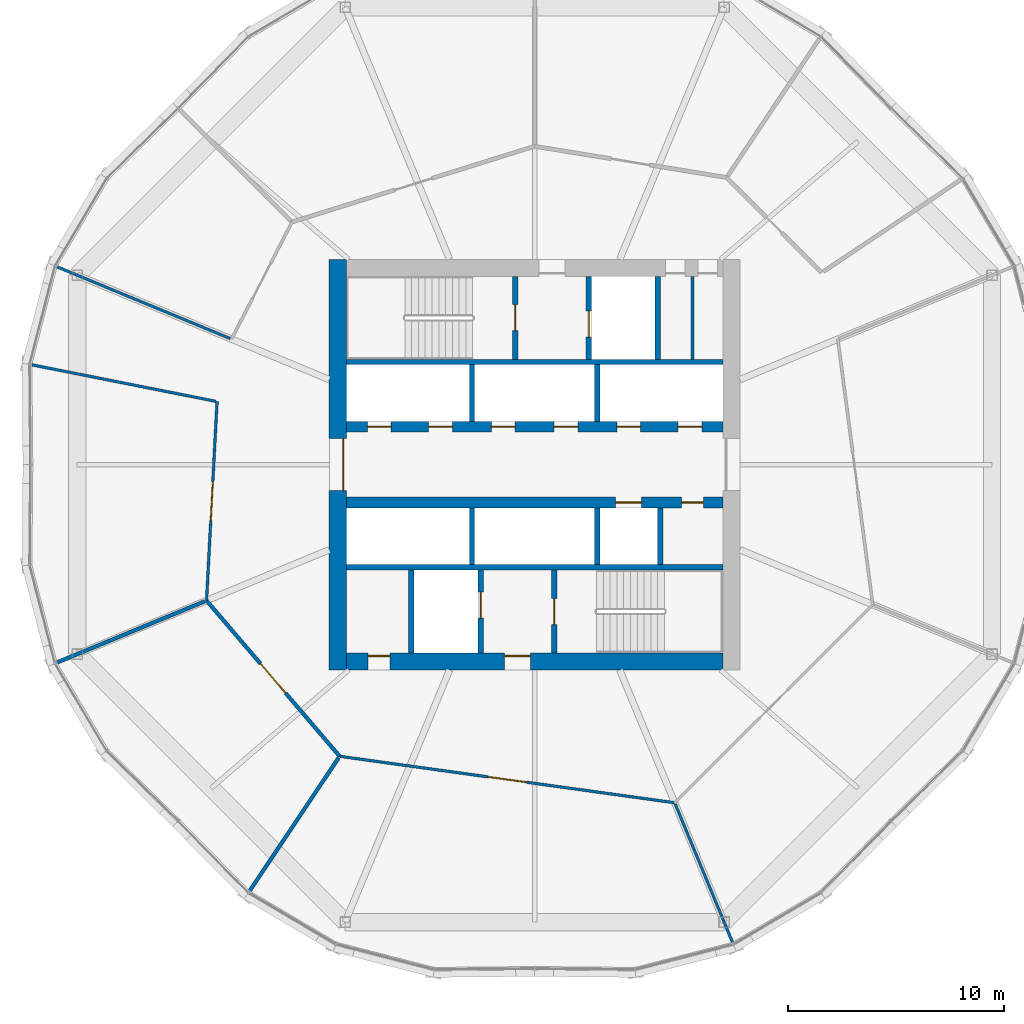
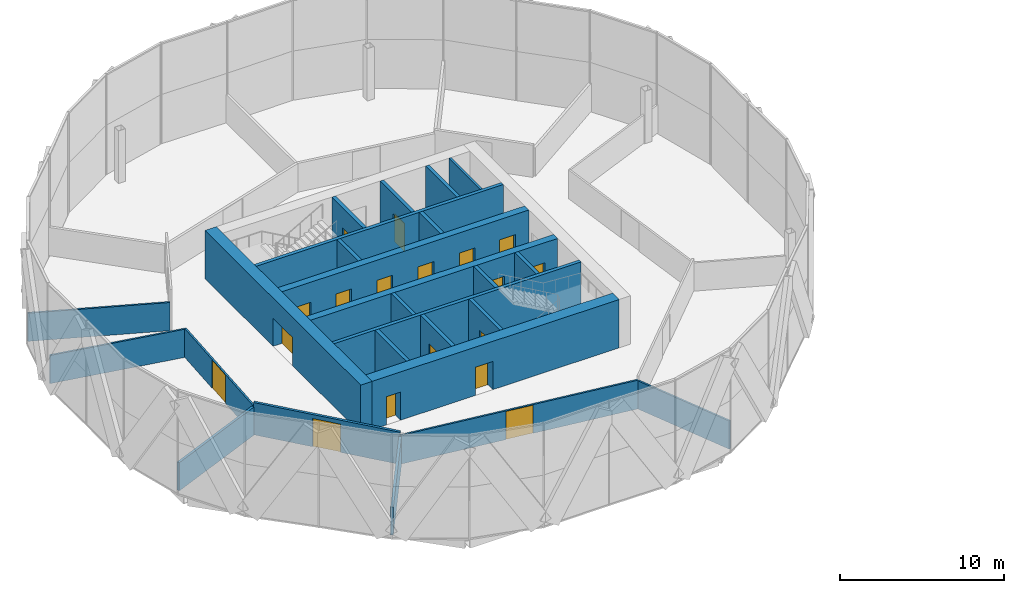
# One storey, part 22 of 31: 26 walls, 18 doors, 18 openings.
"""IFC4 building model written with IfcOpenShell, lengths in metres."""

from ifc_helpers import new_model, si_unit, direction, frame, frame_2d, origin, place, context, subcontext, project, spatial, rectangle, extrude, material, layer, layer_set, type_object, element, fill, save


model = new_model("IFC4")

# Units and contexts
model_context = context("Model", 3, precision=1e-05, world=origin(), true_north=direction((0.0, 1.0)))
body_context = subcontext(model_context, "Body", "Model", "MODEL_VIEW")
ifc_project = project(units=[si_unit("LENGTHUNIT", "METRE"), si_unit("AREAUNIT", "SQUARE_METRE"), si_unit("VOLUMEUNIT", "CUBIC_METRE"), si_unit("PLANEANGLEUNIT", "RADIAN"), si_unit("MASSUNIT", "GRAM", prefix="KILO")], contexts=[model_context])

# Site, building, storey
site_placement = place(None, origin())
site = spatial("IfcSite", under=ifc_project, at=site_placement, CompositionType="ELEMENT")
building_placement = place(site_placement, origin())
building = spatial("IfcBuilding", under=site, at=building_placement, Name="Ogive Gate Towers", CompositionType="ELEMENT")
storey_placement = place(building_placement, frame((0.0, 0.0, 63.60009765625)))
storey = spatial("IfcBuildingStorey", under=building, at=storey_placement, Name="L14", CompositionType="ELEMENT", Elevation=63.60009765625)

# Walls
ifc_material_1 = material(Name="Gypsum board acoustic partition")
ifc_layer_1 = layer(ifc_material_1, 0.175048828125)
ifc_layer_set_1 = layer_set([ifc_layer_1], Name="Acoustic partition 175")
wall_type_1 = type_object("IfcWallType", Name="Acoustic partition 175", PredefinedType="PARTITIONING", material=ifc_layer_set_1)
wall_1_placement = place(storey_placement, frame((-58.16845703125, -9.182373046875, 0.0), z_axis=(0.0, 0.0, 1.0), x_axis=(0.923877226878, 0.382688998608, 0.0)))
element("IfcWall", 1, at=wall_1_placement, inside=storey, type_object=wall_type_1, Name="Partition T1-L14-008", PredefinedType="PARTITIONING", context=body_context, shape_type="SweptSolid", body=[
    extrude(rectangle(XDim=7.4814453125, YDim=0.175048828125, at=frame_2d((3.74072265625, 0.0))), origin(), (0.0, 0.0, 1.0), 2.099853515625),
])
wall_2_placement = place(storey_placement, frame((-49.2529296875, -19.82080078125, 0.0), z_axis=(0.0, 0.0, 1.0), x_axis=(0.555821949629, 0.831301365517, 0.0)))
element("IfcWall", 2, at=wall_2_placement, inside=storey, type_object=wall_type_1, Name="Partition T1-L14-009", PredefinedType="PARTITIONING", context=body_context, shape_type="SweptSolid", body=[
    extrude(rectangle(XDim=7.5302734375, YDim=0.175048828125, at=frame_2d((3.76513671875, 0.0))), origin(), (0.0, 0.0, 1.0), 2.099853515625),
])

# Wall, opening, door
wall_3_placement = place(storey_placement, frame((-51.175537109375, -6.285888671875, 0.0), z_axis=(0.0, 0.0, 1.0), x_axis=(0.649772264794, -0.760128938999, 0.0)))
wall_3 = element("IfcWall", 3, at=wall_3_placement, inside=storey, type_object=wall_type_1, Name="Partition T1-L14-017", PredefinedType="PARTITIONING", context=body_context, shape_type="SweptSolid", body=[
    extrude(rectangle(XDim=9.475341796875, YDim=0.175048828125, at=frame_2d((4.73779296875, 0.0))), origin(), (0.0, 0.0, 1.0), 2.39990234375),
])
opening_1_placement = place(wall_3_placement, frame((3.837890625, 0.0, 0.0)))
opening_1 = element("IfcOpeningElement", 4, at=opening_1_placement, cuts=wall_3, Name="Opening T1-L14-D06", PredefinedType="OPENING", context=body_context, shape_type="SweptSolid", body=[
    extrude(rectangle(XDim=1.800048828125, YDim=2.10009765625, at=frame_2d((0.89990234375, 1.050048828125))), frame((0.0, 0.09765625, 0.0), z_axis=(0.0, -1.0, 0.0), x_axis=(1.0, 0.0, 0.0)), (0.0, 0.0, 1.0), 0.195068359375),
])
ifc_material_2 = material(Name="Timber door", Category="wood")
door_type_1 = type_object("IfcDoorType", Name="Door pair 1800", OperationType="NOTDEFINED", PredefinedType="DOOR", material=ifc_material_2)
door_1_placement = place(opening_1_placement, origin())
door_1 = element("IfcDoor", 5, at=door_1_placement, inside=storey, type_object=door_type_1, Name="Door T1-L14-D06", OperationType="DOUBLE_DOOR_DOUBLE_SWING", OverallHeight=2.10009765625, OverallWidth=1.800048828125, PredefinedType="DOOR", context=body_context, shape_type="SweptSolid", body=[
    extrude(rectangle(XDim=1.800048828125, YDim=2.10009765625, at=frame_2d((0.89990234375, 1.050048828125))), frame((0.0, 0.02490234375, 0.0), z_axis=(0.0, -1.0, 0.0), x_axis=(1.0, 0.0, 0.0)), (0.0, 0.0, 1.0), 0.050048828125),
])
fill(opening_1, door_1)

# Wall, openings, doors
ifc_material_3 = material(Name="Concrete C60/75", Category="concrete")
ifc_layer_2 = layer(ifc_material_3, 0.800048828125)
ifc_layer_set_2 = layer_set([ifc_layer_2], Name="Core wall 800 mm")
wall_type_2 = type_object("IfcWallType", Name="Core wall 800 mm", PredefinedType="SHEAR", material=ifc_layer_set_2)
wall_4_placement = place(storey_placement, frame((-44.699951171875, -9.10009765625, 0.0), z_axis=(0.0, 0.0, 1.0), x_axis=(1.0, 0.0, 0.0)))
wall_4 = element("IfcWall", 6, at=wall_4_placement, inside=storey, type_object=wall_type_2, Name="T1 L14 Core wall 800 mm", PredefinedType="SHEAR", context=body_context, shape_type="SweptSolid", body=[
    extrude(rectangle(XDim=17.39990234375, YDim=0.800048828125, at=frame_2d((8.699951171875, 0.0))), origin(), (0.0, 0.0, 1.0), 3.599853515625),
])
opening_2_placement = place(wall_4_placement, frame((7.300048828125, 0.0, 0.0)))
opening_2 = element("IfcOpeningElement", 7, at=opening_2_placement, cuts=wall_4, Name="Opening KD-T1-L14-16", PredefinedType="OPENING", context=body_context, shape_type="SweptSolid", body=[
    extrude(rectangle(XDim=1.199951171875, YDim=2.10009765625, at=frame_2d((0.60009765625, 1.050048828125))), frame((0.0, 0.41015625, 0.0), z_axis=(0.0, -1.0, 0.0), x_axis=(1.0, 0.0, 0.0)), (0.0, 0.0, 1.0), 0.820068359375),
])
opening_3_placement = place(wall_4_placement, frame((1.0, 0.0, 0.0)))
opening_3 = element("IfcOpeningElement", 8, at=opening_3_placement, cuts=wall_4, Name="Opening KD-T1-L14-19", PredefinedType="OPENING", context=body_context, shape_type="SweptSolid", body=[
    extrude(rectangle(XDim=1.0, YDim=2.10009765625, at=frame_2d((0.5, 1.050048828125))), frame((0.0, 0.41015625, 0.0), z_axis=(0.0, -1.0, 0.0), x_axis=(1.0, 0.0, 0.0)), (0.0, 0.0, 1.0), 0.820068359375),
])
door_type_2 = type_object("IfcDoorType", Name="Accessible WC door 1000 x 2100", OperationType="NOTDEFINED", PredefinedType="DOOR", material=ifc_material_2)
door_2_placement = place(opening_3_placement, origin())
door_2 = element("IfcDoor", 9, at=door_2_placement, inside=storey, type_object=door_type_2, Name="T1 L14 Core door", OperationType="SINGLE_SWING_RIGHT", OverallHeight=2.10009765625, OverallWidth=1.0, PredefinedType="DOOR", context=body_context, shape_type="SweptSolid", body=[
    extrude(rectangle(XDim=1.0, YDim=2.10009765625, at=frame_2d((0.5, 1.050048828125))), frame((0.0, 0.27490234375, 0.0), z_axis=(0.0, -1.0, 0.0), x_axis=(1.0, 0.0, 0.0)), (0.0, 0.0, 1.0), 0.050048828125),
])
fill(opening_3, door_2)
ifc_material_4 = material(Name="Steel fire door", Category="steel")
door_type_3 = type_object("IfcDoorType", Name="Core door FD60S 1200 x 2100", OperationType="NOTDEFINED", PredefinedType="DOOR", material=ifc_material_4)
door_3_placement = place(opening_2_placement, origin())
door_3 = element("IfcDoor", 10, at=door_3_placement, inside=storey, type_object=door_type_3, Name="T1 L14 Fire-fighting lobby door", OperationType="SINGLE_SWING_LEFT", OverallHeight=2.10009765625, OverallWidth=1.199951171875, PredefinedType="DOOR", context=body_context, shape_type="SweptSolid", body=[
    extrude(rectangle(XDim=1.199951171875, YDim=2.10009765625, at=frame_2d((0.60009765625, 1.050048828125))), frame((0.0, 0.27490234375, 0.0), z_axis=(0.0, -1.0, 0.0), x_axis=(1.0, 0.0, 0.0)), (0.0, 0.0, 1.0), 0.050048828125),
])
fill(opening_2, door_3)

# Wall, opening, door
wall_5_placement = place(storey_placement, frame((-45.10009765625, -9.5, 0.0), z_axis=(0.0, 0.0, 1.0), x_axis=(0.0, 1.0, 0.0)))
wall_5 = element("IfcWall", 11, at=wall_5_placement, inside=storey, type_object=wall_type_2, Name="T1 L14 Core wall 800 mm", PredefinedType="SHEAR", context=body_context, shape_type="SweptSolid", body=[
    extrude(rectangle(XDim=19.0, YDim=0.800048828125, at=frame_2d((9.5, 0.0))), origin(), (0.0, 0.0, 1.0), 3.599853515625),
])
opening_4_placement = place(wall_5_placement, frame((8.300048828125, 0.0, 0.0)))
opening_4 = element("IfcOpeningElement", 12, at=opening_4_placement, cuts=wall_5, Name="Opening KD-T1-L14-01", PredefinedType="OPENING", context=body_context, shape_type="SweptSolid", body=[
    extrude(rectangle(XDim=2.39990234375, YDim=2.10009765625, at=frame_2d((1.199951171875, 1.050048828125))), frame((0.0, 0.41015625, 0.0), z_axis=(0.0, -1.0, 0.0), x_axis=(1.0, 0.0, 0.0)), (0.0, 0.0, 1.0), 0.820068359375),
])
door_type_4 = type_object("IfcDoorType", Name="Core double door FD60S 2400 x 2100", OperationType="DOUBLE_DOOR_SINGLE_SWING", PredefinedType="DOOR", material=ifc_material_4)
door_4_placement = place(opening_4_placement, origin())
door_4 = element("IfcDoor", 13, at=door_4_placement, inside=storey, type_object=door_type_4, Name="T1 L14 Core door double", OperationType="DOUBLE_DOOR_SINGLE_SWING", OverallHeight=2.10009765625, OverallWidth=2.39990234375, PredefinedType="DOOR", context=body_context, shape_type="SweptSolid", body=[
    extrude(rectangle(XDim=2.39990234375, YDim=2.10009765625, at=frame_2d((1.199951171875, 1.050048828125))), frame((0.0, -0.22509765625, 0.0), z_axis=(0.0, -1.0, 0.0), x_axis=(1.0, 0.0, 0.0)), (0.0, 0.0, 1.0), 0.050048828125),
])
fill(opening_4, door_4)

# Walls
ifc_material_5 = material(Name="Gypsum board partition")
ifc_layer_3 = layer(ifc_material_5, 0.125)
ifc_layer_set_3 = layer_set([ifc_layer_3], Name="Partition 125")
wall_type_3 = type_object("IfcWallType", Name="Partition 125", PredefinedType="PARTITIONING", material=ifc_layer_set_3)
wall_6_placement = place(storey_placement, frame((-58.16845703125, 9.182373046875, 0.0), z_axis=(0.0, 0.0, 1.0), x_axis=(0.923883284304, -0.38267437461, 0.0)))
element("IfcWall", 14, at=wall_6_placement, inside=storey, type_object=wall_type_3, Name="Partition T1-L14-006", PredefinedType="PARTITIONING", context=body_context, shape_type="SweptSolid", body=[
    extrude(rectangle(XDim=8.75634765625, YDim=0.125, at=frame_2d((4.378173828125, 0.0))), origin(), (0.0, 0.0, 1.0), 2.099853515625),
])
wall_7_placement = place(storey_placement, frame((-59.25537109375, 4.6181640625, 0.0), z_axis=(0.0, 0.0, 1.0), x_axis=(0.980848307459, -0.194773195677, 0.0)))
element("IfcWall", 15, at=wall_7_placement, inside=storey, type_object=wall_type_3, Name="Partition T1-L14-007", PredefinedType="PARTITIONING", context=body_context, shape_type="SweptSolid", body=[
    extrude(rectangle(XDim=8.67138671875, YDim=0.125, at=frame_2d((4.335693359375, 0.0))), origin(), (0.0, 0.0, 1.0), 2.099853515625),
])
wall_8_placement = place(storey_placement, frame((-26.817626953125, -22.16845703125, 0.0), z_axis=(0.0, 0.0, 1.0), x_axis=(-0.382669798703, 0.923885179641, 0.0)))
element("IfcWall", 16, at=wall_8_placement, inside=storey, type_object=wall_type_3, Name="Partition T1-L14-010", PredefinedType="PARTITIONING", context=body_context, shape_type="SweptSolid", body=[
    extrude(rectangle(XDim=7.00634765625, YDim=0.125, at=frame_2d((3.503173828125, 0.0))), origin(), (0.0, 0.0, 1.0), 2.099853515625),
])

# Wall, opening, door
wall_9_placement = place(storey_placement, frame((-50.688720703125, 2.9169921875, 0.0), z_axis=(0.0, 0.0, 1.0), x_axis=(-0.052824406681, -0.998603816365, 0.0)))
wall_9 = element("IfcWall", 17, at=wall_9_placement, inside=storey, type_object=wall_type_3, Name="Partition T1-L14-016", PredefinedType="PARTITIONING", context=body_context, shape_type="SweptSolid", body=[
    extrude(rectangle(XDim=9.2158203125, YDim=0.125, at=frame_2d((4.60791015625, 0.0))), origin(), (0.0, 0.0, 1.0), 2.139892578125),
])
opening_5_placement = place(wall_9_placement, frame((3.7080078125, 0.0, 0.0)))
opening_5 = element("IfcOpeningElement", 18, at=opening_5_placement, cuts=wall_9, Name="Opening T1-L14-D05", PredefinedType="OPENING", context=body_context, shape_type="SweptSolid", body=[
    extrude(rectangle(XDim=1.800048828125, YDim=2.10009765625, at=frame_2d((0.89990234375, 1.050048828125))), frame((0.0, 0.072509765625, 0.0), z_axis=(0.0, -1.0, 0.0), x_axis=(1.0, 0.0, 0.0)), (0.0, 0.0, 1.0), 0.14501953125),
])
door_5_placement = place(opening_5_placement, origin())
door_5 = element("IfcDoor", 19, at=door_5_placement, inside=storey, type_object=door_type_1, Name="Door T1-L14-D05", OperationType="DOUBLE_DOOR_DOUBLE_SWING", OverallHeight=2.10009765625, OverallWidth=1.800048828125, PredefinedType="DOOR", context=body_context, shape_type="SweptSolid", body=[
    extrude(rectangle(XDim=1.800048828125, YDim=2.10009765625, at=frame_2d((0.89990234375, 1.050048828125))), frame((0.0, 0.02490234375, 0.0), z_axis=(0.0, -1.0, 0.0), x_axis=(1.0, 0.0, 0.0)), (0.0, 0.0, 1.0), 0.050048828125),
])
fill(opening_5, door_5)

wall_10_placement = place(storey_placement, frame((-45.018798828125, -13.48828125, 0.0), z_axis=(0.0, 0.0, 1.0), x_axis=(0.99051682936, -0.137391450808, 0.0)))
wall_10 = element("IfcWall", 20, at=wall_10_placement, inside=storey, type_object=wall_type_3, Name="Partition T1-L14-018", PredefinedType="PARTITIONING", context=body_context, shape_type="SweptSolid", body=[
    extrude(rectangle(XDim=15.64453125, YDim=0.125, at=frame_2d((7.822265625, 0.0))), origin(), (0.0, 0.0, 1.0), 2.139892578125),
])
opening_6_placement = place(wall_10_placement, frame((6.922119140625, 0.0, 0.0)))
opening_6 = element("IfcOpeningElement", 21, at=opening_6_placement, cuts=wall_10, Name="Opening T1-L14-D07", PredefinedType="OPENING", context=body_context, shape_type="SweptSolid", body=[
    extrude(rectangle(XDim=1.800048828125, YDim=2.10009765625, at=frame_2d((0.89990234375, 1.050048828125))), frame((0.0, 0.072509765625, 0.0), z_axis=(0.0, -1.0, 0.0), x_axis=(1.0, 0.0, 0.0)), (0.0, 0.0, 1.0), 0.14501953125),
])
door_6_placement = place(opening_6_placement, origin())
door_6 = element("IfcDoor", 22, at=door_6_placement, inside=storey, type_object=door_type_1, Name="Door T1-L14-D07", OperationType="DOUBLE_DOOR_DOUBLE_SWING", OverallHeight=2.10009765625, OverallWidth=1.800048828125, PredefinedType="DOOR", context=body_context, shape_type="SweptSolid", body=[
    extrude(rectangle(XDim=1.800048828125, YDim=2.10009765625, at=frame_2d((0.89990234375, 1.050048828125))), frame((0.0, 0.02490234375, 0.0), z_axis=(0.0, -1.0, 0.0), x_axis=(1.0, 0.0, 0.0)), (0.0, 0.0, 1.0), 0.050048828125),
])
fill(opening_6, door_6)

# Walls
ifc_layer_4 = layer(ifc_material_5, 0.14990234375)
ifc_layer_set_4 = layer_set([ifc_layer_4], Name="Room partition 150 mm")
wall_type_4 = type_object("IfcWallType", Name="Room partition 150 mm", PredefinedType="PARTITIONING", material=ifc_layer_set_4)
wall_11_placement = place(storey_placement, frame((-28.699951171875, 4.875, 0.0), z_axis=(0.0, 0.0, 1.0), x_axis=(0.0, 1.0, 0.0)))
element("IfcWall", 23, at=wall_11_placement, inside=storey, type_object=wall_type_4, Name="T1 L14 Room partition 150 mm", PredefinedType="PARTITIONING", context=body_context, shape_type="SweptSolid", body=[
    extrude(rectangle(XDim=3.824951171875, YDim=0.14990234375, at=frame_2d((1.91259765625, 0.0))), origin(), (0.0, 0.0, 1.0), 3.599853515625),
])
ifc_layer_5 = layer(ifc_material_3, 0.25)
ifc_layer_set_5 = layer_set([ifc_layer_5], Name="Shaft wall 250 mm")
wall_type_5 = type_object("IfcWallType", Name="Shaft wall 250 mm", PredefinedType="SHEAR", material=ifc_layer_set_5)
for number, where, z_axis, x_axis, name in (
    (24, (-44.699951171875, -4.75, 0.0), (0.0, 0.0, 1.0), (1.0, 0.0, 0.0), "T1 L14 Shaft wall 250 mm"),
    (25, (-44.699951171875, 4.75, 0.0), (0.0, 0.0, 1.0), (1.0, 0.0, 0.0), "T1 L14 Shaft wall 250 mm"),
):
    element("IfcWall", number, at=place(storey_placement, frame(where, z_axis=z_axis, x_axis=x_axis)), inside=storey, type_object=wall_type_5, Name=name, PredefinedType="SHEAR", context=body_context, shape_type="SweptSolid", body=[
        extrude(rectangle(XDim=17.39990234375, YDim=0.25, at=frame_2d((8.699951171875, 0.0))), origin(), (0.0, 0.0, 1.0), 3.599853515625),
    ])
wall_12_placement = place(storey_placement, frame((-41.699951171875, -8.699951171875, 0.0), z_axis=(0.0, 0.0, 1.0), x_axis=(0.0, 1.0, 0.0)))
element("IfcWall", 26, at=wall_12_placement, inside=storey, type_object=wall_type_5, Name="T1 L14 Shaft wall 250 mm", PredefinedType="SHEAR", context=body_context, shape_type="SweptSolid", body=[
    extrude(rectangle(XDim=3.824951171875, YDim=0.25, at=frame_2d((1.91259765625, 0.0))), origin(), (0.0, 0.0, 1.0), 3.599853515625),
])
for number, where, z_axis, x_axis, name in (
    (27, (-38.89990234375, -4.625, 0.0), (0.0, 0.0, 1.0), (0.0, 1.0, 0.0), "T1 L14 Shaft wall 250 mm"),
    (28, (-38.89990234375, 2.0, 0.0), (0.0, 0.0, 1.0), (0.0, 1.0, 0.0), "T1 L14 Shaft wall 250 mm"),
):
    element("IfcWall", number, at=place(storey_placement, frame(where, z_axis=z_axis, x_axis=x_axis)), inside=storey, type_object=wall_type_5, Name=name, PredefinedType="SHEAR", context=body_context, shape_type="SweptSolid", body=[
        extrude(rectangle(XDim=2.625, YDim=0.25, at=frame_2d((1.3125, 0.0))), origin(), (0.0, 0.0, 1.0), 3.599853515625),
    ])

# Wall, opening, door
wall_13_placement = place(storey_placement, frame((-38.5, -8.699951171875, 0.0), z_axis=(0.0, 0.0, 1.0), x_axis=(0.0, 1.0, 0.0)))
wall_13 = element("IfcWall", 29, at=wall_13_placement, inside=storey, type_object=wall_type_5, Name="T1 L14 Shaft wall 250 mm", PredefinedType="SHEAR", context=body_context, shape_type="SweptSolid", body=[
    extrude(rectangle(XDim=3.824951171875, YDim=0.25, at=frame_2d((1.91259765625, 0.0))), origin(), (0.0, 0.0, 1.0), 3.599853515625),
])
opening_7_placement = place(wall_13_placement, frame((1.60009765625, 0.0, 0.0)))
opening_7 = element("IfcOpeningElement", 30, at=opening_7_placement, cuts=wall_13, Name="Opening LD-T1-L14-11", PredefinedType="OPENING", context=body_context, shape_type="SweptSolid", body=[
    extrude(rectangle(XDim=1.199951171875, YDim=2.10009765625, at=frame_2d((0.60009765625, 1.050048828125))), frame((0.0, 0.135009765625, 0.0), z_axis=(0.0, -1.0, 0.0), x_axis=(1.0, 0.0, 0.0)), (0.0, 0.0, 1.0), 0.27001953125),
])
ifc_material_6 = material(Name="Stainless steel landing door", Category="steel")
door_type_5 = type_object("IfcDoorType", Name="Landing door 1200 x 2100", OperationType="SLIDING_TO_LEFT", PredefinedType="DOOR", material=ifc_material_6)
door_7_placement = place(opening_7_placement, origin())
door_7 = element("IfcDoor", 31, at=door_7_placement, inside=storey, type_object=door_type_5, Name="T1 L14 Lift landing door FF2", OperationType="SLIDING_TO_LEFT", OverallHeight=2.10009765625, OverallWidth=1.199951171875, PredefinedType="DOOR", context=body_context, shape_type="SweptSolid", body=[
    extrude(rectangle(XDim=1.199951171875, YDim=2.10009765625, at=frame_2d((0.60009765625, 1.050048828125))), frame((0.0, 0.02490234375, 0.0), z_axis=(0.0, -1.0, 0.0), x_axis=(1.0, 0.0, 0.0)), (0.0, 0.0, 1.0), 0.050048828125),
])
fill(opening_7, door_7)

wall_14_placement = place(storey_placement, frame((-36.89990234375, 4.875, 0.0), z_axis=(0.0, 0.0, 1.0), x_axis=(0.0, 1.0, 0.0)))
wall_14 = element("IfcWall", 32, at=wall_14_placement, inside=storey, type_object=wall_type_5, Name="T1 L14 Shaft wall 250 mm", PredefinedType="SHEAR", context=body_context, shape_type="SweptSolid", body=[
    extrude(rectangle(XDim=3.824951171875, YDim=0.25, at=frame_2d((1.91259765625, 0.0))), origin(), (0.0, 0.0, 1.0), 3.599853515625),
])
opening_8_placement = place(wall_14_placement, frame((1.324951171875, 0.0, 0.0)))
opening_8 = element("IfcOpeningElement", 33, at=opening_8_placement, cuts=wall_14, Name="Opening KD-T1-L14-13", PredefinedType="OPENING", context=body_context, shape_type="SweptSolid", body=[
    extrude(rectangle(XDim=1.199951171875, YDim=2.10009765625, at=frame_2d((0.60009765625, 1.050048828125))), frame((0.0, 0.135009765625, 0.0), z_axis=(0.0, -1.0, 0.0), x_axis=(1.0, 0.0, 0.0)), (0.0, 0.0, 1.0), 0.27001953125),
])
door_8_placement = place(opening_8_placement, origin())
door_8 = element("IfcDoor", 34, at=door_8_placement, inside=storey, type_object=door_type_3, Name="T1 L14 Stair door", OperationType="SINGLE_SWING_RIGHT", OverallHeight=2.10009765625, OverallWidth=1.199951171875, PredefinedType="DOOR", context=body_context, shape_type="SweptSolid", body=[
    extrude(rectangle(XDim=1.199951171875, YDim=2.10009765625, at=frame_2d((0.60009765625, 1.050048828125))), frame((0.0, 0.02490234375, 0.0), z_axis=(0.0, -1.0, 0.0), x_axis=(1.0, 0.0, 0.0)), (0.0, 0.0, 1.0), 0.050048828125),
])
fill(opening_8, door_8)

wall_15_placement = place(storey_placement, frame((-35.10009765625, -8.699951171875, 0.0), z_axis=(0.0, 0.0, 1.0), x_axis=(0.0, 1.0, 0.0)))
wall_15 = element("IfcWall", 35, at=wall_15_placement, inside=storey, type_object=wall_type_5, Name="T1 L14 Shaft wall 250 mm", PredefinedType="SHEAR", context=body_context, shape_type="SweptSolid", body=[
    extrude(rectangle(XDim=3.824951171875, YDim=0.25, at=frame_2d((1.91259765625, 0.0))), origin(), (0.0, 0.0, 1.0), 3.599853515625),
])
opening_9_placement = place(wall_15_placement, frame((1.300048828125, 0.0, 0.0)))
opening_9 = element("IfcOpeningElement", 36, at=opening_9_placement, cuts=wall_15, Name="Opening KD-T1-L14-14", PredefinedType="OPENING", context=body_context, shape_type="SweptSolid", body=[
    extrude(rectangle(XDim=1.199951171875, YDim=2.10009765625, at=frame_2d((0.60009765625, 1.050048828125))), frame((0.0, 0.135009765625, 0.0), z_axis=(0.0, -1.0, 0.0), x_axis=(1.0, 0.0, 0.0)), (0.0, 0.0, 1.0), 0.27001953125),
])
door_9_placement = place(opening_9_placement, origin())
door_9 = element("IfcDoor", 37, at=door_9_placement, inside=storey, type_object=door_type_3, Name="T1 L14 Stair door", OperationType="SINGLE_SWING_LEFT", OverallHeight=2.10009765625, OverallWidth=1.199951171875, PredefinedType="DOOR", context=body_context, shape_type="SweptSolid", body=[
    extrude(rectangle(XDim=1.199951171875, YDim=2.10009765625, at=frame_2d((0.60009765625, 1.050048828125))), frame((0.0, 0.02490234375, 0.0), z_axis=(0.0, -1.0, 0.0), x_axis=(1.0, 0.0, 0.0)), (0.0, 0.0, 1.0), 0.050048828125),
])
fill(opening_9, door_9)

wall_16_placement = place(storey_placement, frame((-33.5, 4.875, 0.0), z_axis=(0.0, 0.0, 1.0), x_axis=(0.0, 1.0, 0.0)))
wall_16 = element("IfcWall", 38, at=wall_16_placement, inside=storey, type_object=wall_type_5, Name="T1 L14 Shaft wall 250 mm", PredefinedType="SHEAR", context=body_context, shape_type="SweptSolid", body=[
    extrude(rectangle(XDim=3.824951171875, YDim=0.25, at=frame_2d((1.91259765625, 0.0))), origin(), (0.0, 0.0, 1.0), 3.599853515625),
])
opening_10_placement = place(wall_16_placement, frame((1.02490234375, 0.0, 0.0)))
opening_10 = element("IfcOpeningElement", 39, at=opening_10_placement, cuts=wall_16, Name="Opening LD-T1-L14-10", PredefinedType="OPENING", context=body_context, shape_type="SweptSolid", body=[
    extrude(rectangle(XDim=1.199951171875, YDim=2.10009765625, at=frame_2d((0.60009765625, 1.050048828125))), frame((0.0, 0.135009765625, 0.0), z_axis=(0.0, -1.0, 0.0), x_axis=(1.0, 0.0, 0.0)), (0.0, 0.0, 1.0), 0.27001953125),
])
door_10_placement = place(opening_10_placement, origin())
door_10 = element("IfcDoor", 40, at=door_10_placement, inside=storey, type_object=door_type_5, Name="T1 L14 Lift landing door FF1", OperationType="SLIDING_TO_LEFT", OverallHeight=2.10009765625, OverallWidth=1.199951171875, PredefinedType="DOOR", context=body_context, shape_type="SweptSolid", body=[
    extrude(rectangle(XDim=1.199951171875, YDim=2.10009765625, at=frame_2d((0.60009765625, 1.050048828125))), frame((0.0, 0.02490234375, 0.0), z_axis=(0.0, -1.0, 0.0), x_axis=(1.0, 0.0, 0.0)), (0.0, 0.0, 1.0), 0.050048828125),
])
fill(opening_10, door_10)

# Walls
for number, where, z_axis, x_axis, name in (
    (41, (-33.10009765625, -4.625, 0.0), (0.0, 0.0, 1.0), (0.0, 1.0, 0.0), "T1 L14 Shaft wall 250 mm"),
    (42, (-33.10009765625, 2.0, 0.0), (0.0, 0.0, 1.0), (0.0, 1.0, 0.0), "T1 L14 Shaft wall 250 mm"),
):
    element("IfcWall", number, at=place(storey_placement, frame(where, z_axis=z_axis, x_axis=x_axis)), inside=storey, type_object=wall_type_5, Name=name, PredefinedType="SHEAR", context=body_context, shape_type="SweptSolid", body=[
        extrude(rectangle(XDim=2.625, YDim=0.25, at=frame_2d((1.3125, 0.0))), origin(), (0.0, 0.0, 1.0), 3.599853515625),
    ])
wall_17_placement = place(storey_placement, frame((-30.300048828125, 4.875, 0.0), z_axis=(0.0, 0.0, 1.0), x_axis=(0.0, 1.0, 0.0)))
element("IfcWall", 43, at=wall_17_placement, inside=storey, type_object=wall_type_5, Name="T1 L14 Shaft wall 250 mm", PredefinedType="SHEAR", context=body_context, shape_type="SweptSolid", body=[
    extrude(rectangle(XDim=3.824951171875, YDim=0.25, at=frame_2d((1.91259765625, 0.0))), origin(), (0.0, 0.0, 1.0), 3.599853515625),
])
wall_18_placement = place(storey_placement, frame((-30.199951171875, -4.625, 0.0), z_axis=(0.0, 0.0, 1.0), x_axis=(0.0, 1.0, 0.0)))
element("IfcWall", 44, at=wall_18_placement, inside=storey, type_object=wall_type_5, Name="T1 L14 Shaft wall 250 mm", PredefinedType="SHEAR", context=body_context, shape_type="SweptSolid", body=[
    extrude(rectangle(XDim=2.625, YDim=0.25, at=frame_2d((1.3125, 0.0))), origin(), (0.0, 0.0, 1.0), 3.599853515625),
])

# Wall, openings, doors
ifc_layer_6 = layer(ifc_material_3, 0.5)
ifc_layer_set_6 = layer_set([ifc_layer_6], Name="Spine wall 500 mm")
wall_type_6 = type_object("IfcWallType", Name="Spine wall 500 mm", PredefinedType="SHEAR", material=ifc_layer_set_6)
wall_19_placement = place(storey_placement, frame((-44.699951171875, -1.75, 0.0), z_axis=(0.0, 0.0, 1.0), x_axis=(1.0, 0.0, 0.0)))
wall_19 = element("IfcWall", 45, at=wall_19_placement, inside=storey, type_object=wall_type_6, Name="T1 L14 Spine wall 500 mm", PredefinedType="SHEAR", context=body_context, shape_type="SweptSolid", body=[
    extrude(rectangle(XDim=17.39990234375, YDim=0.5, at=frame_2d((8.699951171875, 0.0))), origin(), (0.0, 0.0, 1.0), 3.599853515625),
])
opening_11_placement = place(wall_19_placement, frame((12.449951171875, 0.0, 0.0)))
opening_11 = element("IfcOpeningElement", 46, at=opening_11_placement, cuts=wall_19, Name="Opening LD-T1-L14-09", PredefinedType="OPENING", context=body_context, shape_type="SweptSolid", body=[
    extrude(rectangle(XDim=1.199951171875, YDim=2.10009765625, at=frame_2d((0.60009765625, 1.050048828125))), frame((0.0, 0.260009765625, 0.0), z_axis=(0.0, -1.0, 0.0), x_axis=(1.0, 0.0, 0.0)), (0.0, 0.0, 1.0), 0.52001953125),
])
opening_12_placement = place(wall_19_placement, frame((15.5, 0.0, 0.0)))
opening_12 = element("IfcOpeningElement", 47, at=opening_12_placement, cuts=wall_19, Name="Opening KD-T1-L14-12", PredefinedType="OPENING", context=body_context, shape_type="SweptSolid", body=[
    extrude(rectangle(XDim=1.0, YDim=2.10009765625, at=frame_2d((0.5, 1.050048828125))), frame((0.0, 0.260009765625, 0.0), z_axis=(0.0, -1.0, 0.0), x_axis=(1.0, 0.0, 0.0)), (0.0, 0.0, 1.0), 0.52001953125),
])
door_type_6 = type_object("IfcDoorType", Name="Core door FD60S 1000 x 2100", OperationType="NOTDEFINED", PredefinedType="DOOR", material=ifc_material_4)
door_11_placement = place(opening_12_placement, origin())
door_11 = element("IfcDoor", 48, at=door_11_placement, inside=storey, type_object=door_type_6, Name="T1 L14 Core door", OperationType="SINGLE_SWING_LEFT", OverallHeight=2.10009765625, OverallWidth=1.0, PredefinedType="DOOR", context=body_context, shape_type="SweptSolid", body=[
    extrude(rectangle(XDim=1.0, YDim=2.10009765625, at=frame_2d((0.5, 1.050048828125))), frame((0.0, 0.02490234375, 0.0), z_axis=(0.0, -1.0, 0.0), x_axis=(1.0, 0.0, 0.0)), (0.0, 0.0, 1.0), 0.050048828125),
])
fill(opening_12, door_11)
door_12_placement = place(opening_11_placement, origin())
door_12 = element("IfcDoor", 49, at=door_12_placement, inside=storey, type_object=door_type_5, Name="T1 L14 Lift landing door SVC", OperationType="SLIDING_TO_LEFT", OverallHeight=2.10009765625, OverallWidth=1.199951171875, PredefinedType="DOOR", context=body_context, shape_type="SweptSolid", body=[
    extrude(rectangle(XDim=1.199951171875, YDim=2.10009765625, at=frame_2d((0.60009765625, 1.050048828125))), frame((0.0, 0.02490234375, 0.0), z_axis=(0.0, -1.0, 0.0), x_axis=(1.0, 0.0, 0.0)), (0.0, 0.0, 1.0), 0.050048828125),
])
fill(opening_11, door_12)

wall_20_placement = place(storey_placement, frame((-44.699951171875, 1.75, 0.0), z_axis=(0.0, 0.0, 1.0), x_axis=(1.0, 0.0, 0.0)))
wall_20 = element("IfcWall", 50, at=wall_20_placement, inside=storey, type_object=wall_type_6, Name="T1 L14 Spine wall 500 mm", PredefinedType="SHEAR", context=body_context, shape_type="SweptSolid", body=[
    extrude(rectangle(XDim=17.39990234375, YDim=0.5, at=frame_2d((8.699951171875, 0.0))), origin(), (0.0, 0.0, 1.0), 3.599853515625),
])
opening_13_placement = place(wall_20_placement, frame((0.96240234375, 0.0, 0.0)))
opening_13 = element("IfcOpeningElement", 51, at=opening_13_placement, cuts=wall_20, Name="Opening LD-T1-L14-03", PredefinedType="OPENING", context=body_context, shape_type="SweptSolid", body=[
    extrude(rectangle(XDim=1.10009765625, YDim=2.10009765625, at=frame_2d((0.550048828125, 1.050048828125))), frame((0.0, 0.260009765625, 0.0), z_axis=(0.0, -1.0, 0.0), x_axis=(1.0, 0.0, 0.0)), (0.0, 0.0, 1.0), 0.52001953125),
])
opening_14_placement = place(wall_20_placement, frame((3.800048828125, 0.0, 0.0)))
opening_14 = element("IfcOpeningElement", 52, at=opening_14_placement, cuts=wall_20, Name="Opening LD-T1-L14-04", PredefinedType="OPENING", context=body_context, shape_type="SweptSolid", body=[
    extrude(rectangle(XDim=1.10009765625, YDim=2.10009765625, at=frame_2d((0.550048828125, 1.050048828125))), frame((0.0, 0.260009765625, 0.0), z_axis=(0.0, -1.0, 0.0), x_axis=(1.0, 0.0, 0.0)), (0.0, 0.0, 1.0), 0.52001953125),
])
opening_15_placement = place(wall_20_placement, frame((6.699951171875, 0.0, 0.0)))
opening_15 = element("IfcOpeningElement", 53, at=opening_15_placement, cuts=wall_20, Name="Opening LD-T1-L14-05", PredefinedType="OPENING", context=body_context, shape_type="SweptSolid", body=[
    extrude(rectangle(XDim=1.10009765625, YDim=2.10009765625, at=frame_2d((0.550048828125, 1.050048828125))), frame((0.0, 0.260009765625, 0.0), z_axis=(0.0, -1.0, 0.0), x_axis=(1.0, 0.0, 0.0)), (0.0, 0.0, 1.0), 0.52001953125),
])
opening_16_placement = place(wall_20_placement, frame((9.60009765625, 0.0, 0.0)))
opening_16 = element("IfcOpeningElement", 54, at=opening_16_placement, cuts=wall_20, Name="Opening LD-T1-L14-06", PredefinedType="OPENING", context=body_context, shape_type="SweptSolid", body=[
    extrude(rectangle(XDim=1.10009765625, YDim=2.10009765625, at=frame_2d((0.550048828125, 1.050048828125))), frame((0.0, 0.260009765625, 0.0), z_axis=(0.0, -1.0, 0.0), x_axis=(1.0, 0.0, 0.0)), (0.0, 0.0, 1.0), 0.52001953125),
])
opening_17_placement = place(wall_20_placement, frame((12.5, 0.0, 0.0)))
opening_17 = element("IfcOpeningElement", 55, at=opening_17_placement, cuts=wall_20, Name="Opening LD-T1-L14-07", PredefinedType="OPENING", context=body_context, shape_type="SweptSolid", body=[
    extrude(rectangle(XDim=1.10009765625, YDim=2.10009765625, at=frame_2d((0.550048828125, 1.050048828125))), frame((0.0, 0.260009765625, 0.0), z_axis=(0.0, -1.0, 0.0), x_axis=(1.0, 0.0, 0.0)), (0.0, 0.0, 1.0), 0.52001953125),
])
opening_18_placement = place(wall_20_placement, frame((15.33740234375, 0.0, 0.0)))
opening_18 = element("IfcOpeningElement", 56, at=opening_18_placement, cuts=wall_20, Name="Opening LD-T1-L14-08", PredefinedType="OPENING", context=body_context, shape_type="SweptSolid", body=[
    extrude(rectangle(XDim=1.10009765625, YDim=2.10009765625, at=frame_2d((0.550048828125, 1.050048828125))), frame((0.0, 0.260009765625, 0.0), z_axis=(0.0, -1.0, 0.0), x_axis=(1.0, 0.0, 0.0)), (0.0, 0.0, 1.0), 0.52001953125),
])
door_type_7 = type_object("IfcDoorType", Name="Landing door 1100 x 2100", OperationType="SLIDING_TO_LEFT", PredefinedType="DOOR", material=ifc_material_6)
door_13_placement = place(opening_13_placement, origin())
door_13 = element("IfcDoor", 57, at=door_13_placement, inside=storey, type_object=door_type_7, Name="T1 L14 Lift landing door A1", OperationType="SLIDING_TO_LEFT", OverallHeight=2.10009765625, OverallWidth=1.10009765625, PredefinedType="DOOR", context=body_context, shape_type="SweptSolid", body=[
    extrude(rectangle(XDim=1.10009765625, YDim=2.10009765625, at=frame_2d((0.550048828125, 1.050048828125))), frame((0.0, 0.02490234375, 0.0), z_axis=(0.0, -1.0, 0.0), x_axis=(1.0, 0.0, 0.0)), (0.0, 0.0, 1.0), 0.050048828125),
])
fill(opening_13, door_13)
door_14_placement = place(opening_14_placement, origin())
door_14 = element("IfcDoor", 58, at=door_14_placement, inside=storey, type_object=door_type_7, Name="T1 L14 Lift landing door A2", OperationType="SLIDING_TO_LEFT", OverallHeight=2.10009765625, OverallWidth=1.10009765625, PredefinedType="DOOR", context=body_context, shape_type="SweptSolid", body=[
    extrude(rectangle(XDim=1.10009765625, YDim=2.10009765625, at=frame_2d((0.550048828125, 1.050048828125))), frame((0.0, 0.02490234375, 0.0), z_axis=(0.0, -1.0, 0.0), x_axis=(1.0, 0.0, 0.0)), (0.0, 0.0, 1.0), 0.050048828125),
])
fill(opening_14, door_14)
door_15_placement = place(opening_15_placement, origin())
door_15 = element("IfcDoor", 59, at=door_15_placement, inside=storey, type_object=door_type_7, Name="T1 L14 Lift landing door A3", OperationType="SLIDING_TO_LEFT", OverallHeight=2.10009765625, OverallWidth=1.10009765625, PredefinedType="DOOR", context=body_context, shape_type="SweptSolid", body=[
    extrude(rectangle(XDim=1.10009765625, YDim=2.10009765625, at=frame_2d((0.550048828125, 1.050048828125))), frame((0.0, 0.02490234375, 0.0), z_axis=(0.0, -1.0, 0.0), x_axis=(1.0, 0.0, 0.0)), (0.0, 0.0, 1.0), 0.050048828125),
])
fill(opening_15, door_15)
door_16_placement = place(opening_16_placement, origin())
door_16 = element("IfcDoor", 60, at=door_16_placement, inside=storey, type_object=door_type_7, Name="T1 L14 Lift landing door A4", OperationType="SLIDING_TO_LEFT", OverallHeight=2.10009765625, OverallWidth=1.10009765625, PredefinedType="DOOR", context=body_context, shape_type="SweptSolid", body=[
    extrude(rectangle(XDim=1.10009765625, YDim=2.10009765625, at=frame_2d((0.550048828125, 1.050048828125))), frame((0.0, 0.02490234375, 0.0), z_axis=(0.0, -1.0, 0.0), x_axis=(1.0, 0.0, 0.0)), (0.0, 0.0, 1.0), 0.050048828125),
])
fill(opening_16, door_16)
door_17_placement = place(opening_17_placement, origin())
door_17 = element("IfcDoor", 61, at=door_17_placement, inside=storey, type_object=door_type_7, Name="T1 L14 Lift landing door A5", OperationType="SLIDING_TO_LEFT", OverallHeight=2.10009765625, OverallWidth=1.10009765625, PredefinedType="DOOR", context=body_context, shape_type="SweptSolid", body=[
    extrude(rectangle(XDim=1.10009765625, YDim=2.10009765625, at=frame_2d((0.550048828125, 1.050048828125))), frame((0.0, 0.02490234375, 0.0), z_axis=(0.0, -1.0, 0.0), x_axis=(1.0, 0.0, 0.0)), (0.0, 0.0, 1.0), 0.050048828125),
])
fill(opening_17, door_17)
door_18_placement = place(opening_18_placement, origin())
door_18 = element("IfcDoor", 62, at=door_18_placement, inside=storey, type_object=door_type_7, Name="T1 L14 Lift landing door A6", OperationType="SLIDING_TO_LEFT", OverallHeight=2.10009765625, OverallWidth=1.10009765625, PredefinedType="DOOR", context=body_context, shape_type="SweptSolid", body=[
    extrude(rectangle(XDim=1.10009765625, YDim=2.10009765625, at=frame_2d((0.550048828125, 1.050048828125))), frame((0.0, 0.02490234375, 0.0), z_axis=(0.0, -1.0, 0.0), x_axis=(1.0, 0.0, 0.0)), (0.0, 0.0, 1.0), 0.050048828125),
])
fill(opening_18, door_18)

save(model, "model.ifc")
